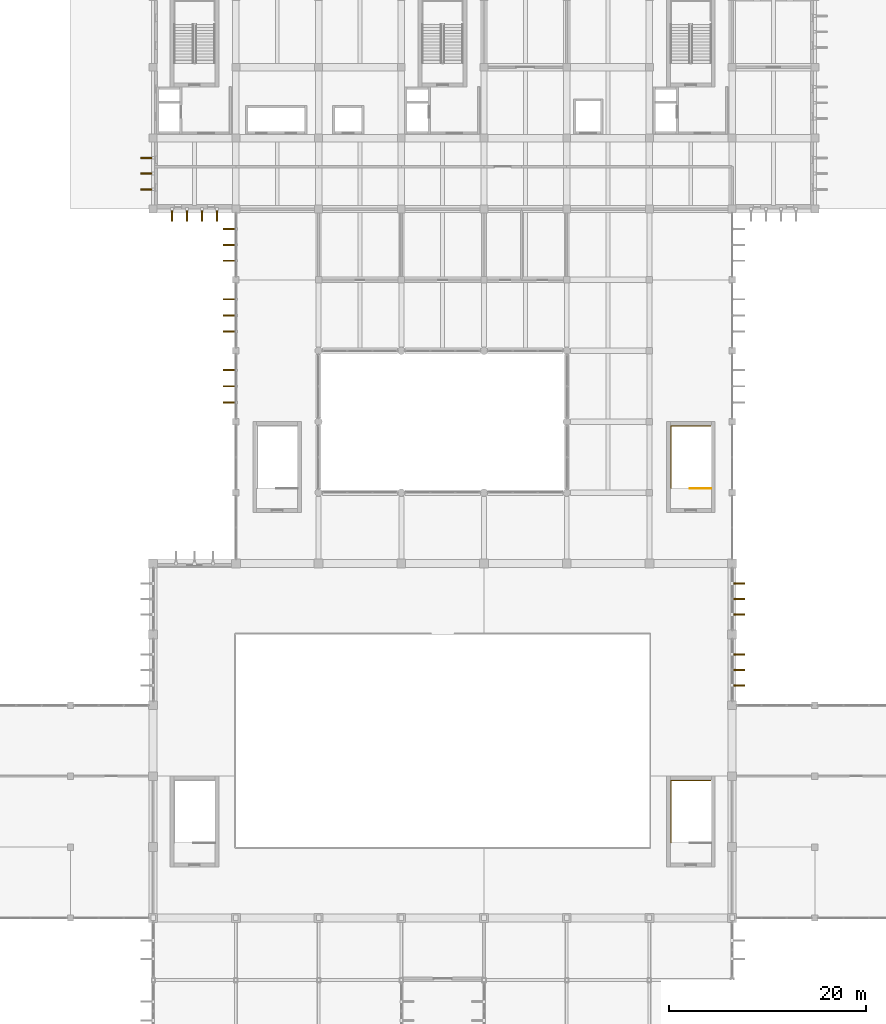
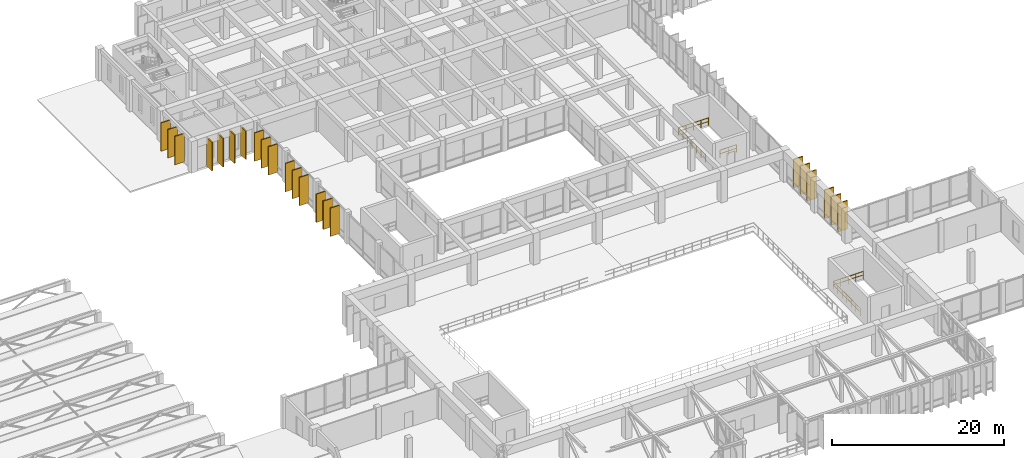
# One storey, part 36 of 40: 22 shading devices, 3 railings.
"""IFC4 building model written with IfcOpenShell, lengths in metres."""

from ifc_helpers import new_model, si_unit, direction, frame, origin, origin_2d, place, context, subcontext, project, spatial, rectangle, circle, extrude, material, type_object, element, save


model = new_model("IFC4")

# Units and contexts
model_context = context("Model", 3, precision=1e-05, world=origin(), true_north=direction((0.0, 1.0)))
body_context = subcontext(model_context, "Body", "Model", "MODEL_VIEW")
ifc_project = project(units=[si_unit("LENGTHUNIT", "METRE"), si_unit("AREAUNIT", "SQUARE_METRE"), si_unit("VOLUMEUNIT", "CUBIC_METRE"), si_unit("PLANEANGLEUNIT", "RADIAN"), si_unit("MASSUNIT", "GRAM", prefix="KILO")], contexts=[model_context])

# Site, building, storey
site_placement = place(None, origin())
site = spatial("IfcSite", under=ifc_project, at=site_placement, CompositionType="ELEMENT")
building_placement = place(site_placement, origin())
building = spatial("IfcBuilding", under=site, at=building_placement, Name="Kenerak Square Central Library", CompositionType="ELEMENT")
storey_placement = place(building_placement, frame((0.0, 0.0, 14.39990234375)))
storey = spatial("IfcBuildingStorey", under=building, at=storey_placement, Name="L03", CompositionType="ELEMENT", Elevation=14.39990234375)

# Shading devices
ifc_material_1 = material(Name="White precast concrete C40/50", Category="concrete")
shading_device_type = type_object("IfcShadingDeviceType", Name="Precast Vertical Solar Fin SF-1280 C40/50", PredefinedType="USERDEFINED", material=ifc_material_1)
for number, where, z_axis, x_axis, name in (
    (1, (66.179931640625, 69.16259765625, 0.10009765625), (0.0, 0.0, 1.0), (0.0, 1.0, 0.0), "Precast Solar Fin FIN-01 L03 0219"),
    (2, (66.179931640625, 70.800048828125, 0.10009765625), (0.0, 0.0, 1.0), (0.0, 1.0, 0.0), "Precast Solar Fin FIN-01 L03 0220"),
    (3, (66.179931640625, 72.4375, 0.10009765625), (0.0, 0.0, 1.0), (0.0, 1.0, 0.0), "Precast Solar Fin FIN-01 L03 0221"),
    (4, (66.179931640625, 76.362548828125, 0.10009765625), (0.0, 0.0, 1.0), (0.0, 1.0, 0.0), "Precast Solar Fin FIN-01 L03 0222"),
    (5, (66.179931640625, 78.0, 0.10009765625), (0.0, 0.0, 1.0), (0.0, 1.0, 0.0), "Precast Solar Fin FIN-01 L03 0223"),
    (6, (66.179931640625, 79.637451171875, 0.10009765625), (0.0, 0.0, 1.0), (0.0, 1.0, 0.0), "Precast Solar Fin FIN-01 L03 0224"),
    (7, (66.179931640625, 83.543701171875, 0.10009765625), (0.0, 0.0, 1.0), (0.0, 1.0, 0.0), "Precast Solar Fin FIN-01 L03 0225"),
    (8, (66.179931640625, 85.16259765625, 0.10009765625), (0.0, 0.0, 1.0), (0.0, 1.0, 0.0), "Precast Solar Fin FIN-01 L03 0226"),
    (9, (66.179931640625, 86.78125, 0.10009765625), (0.0, 0.0, 1.0), (0.0, 1.0, 0.0), "Precast Solar Fin FIN-01 L03 0227"),
    (10, (64.8798828125, 88.179931640625, 0.10009765625), (0.0, 0.0, 1.0), (-1.0, 0.0, 0.0), "Precast Solar Fin FIN-01 L03 0228"),
    (11, (63.360107421875, 88.179931640625, 0.10009765625), (0.0, 0.0, 1.0), (-1.0, 0.0, 0.0), "Precast Solar Fin FIN-01 L03 0229"),
    (12, (61.840087890625, 88.179931640625, 0.10009765625), (0.0, 0.0, 1.0), (-1.0, 0.0, 0.0), "Precast Solar Fin FIN-01 L03 0230"),
    (13, (60.320068359375, 88.179931640625, 0.10009765625), (0.0, 0.0, 1.0), (-1.0, 0.0, 0.0), "Precast Solar Fin FIN-01 L03 0231"),
    (14, (57.780029296875, 90.800048828125, 0.10009765625), (0.0, 0.0, 1.0), (0.0, 1.0, 0.0), "Precast Solar Fin FIN-01 L03 0232"),
    (15, (57.780029296875, 92.39990234375, 0.10009765625), (0.0, 0.0, 1.0), (0.0, 1.0, 0.0), "Precast Solar Fin FIN-01 L03 0233"),
    (16, (57.780029296875, 94.0, 0.10009765625), (0.0, 0.0, 1.0), (0.0, 1.0, 0.0), "Precast Solar Fin FIN-01 L03 0234"),
    (17, (117.820068359375, 50.77490234375, 0.10009765625), (0.0, 0.0, 1.0), (0.0, -1.0, 0.0), "Precast Solar Fin FIN-01 L03 0285"),
    (18, (117.820068359375, 49.199951171875, 0.10009765625), (0.0, 0.0, 1.0), (0.0, -1.0, 0.0), "Precast Solar Fin FIN-01 L03 0286"),
    (19, (117.820068359375, 47.625, 0.10009765625), (0.0, 0.0, 1.0), (0.0, -1.0, 0.0), "Precast Solar Fin FIN-01 L03 0287"),
    (20, (117.820068359375, 43.574951171875, 0.10009765625), (0.0, 0.0, 1.0), (0.0, -1.0, 0.0), "Precast Solar Fin FIN-01 L03 0288"),
    (21, (117.820068359375, 42.0, 0.10009765625), (0.0, 0.0, 1.0), (0.0, -1.0, 0.0), "Precast Solar Fin FIN-01 L03 0289"),
    (22, (117.820068359375, 40.425048828125, 0.10009765625), (0.0, 0.0, 1.0), (0.0, -1.0, 0.0), "Precast Solar Fin FIN-01 L03 0290"),
):
    element("IfcShadingDevice", number, at=place(storey_placement, frame(where, z_axis=z_axis, x_axis=x_axis)), inside=storey, type_object=shading_device_type, Name=name, ObjectType="FIN", PredefinedType="USERDEFINED", context=body_context, shape_type="SweptSolid", body=[
        extrude(rectangle(XDim=0.139892578125, YDim=1.280029296875, at=origin_2d()), origin(), (0.0, 0.0, 1.0), 4.030029296875),
    ])

# Railings
ifc_material_2 = material(Name="Steel S355", Category="steel")
railing_type = type_object("IfcRailingType", Name="Safety Guardrail GR-1100 S355", PredefinedType="GUARDRAIL", material=ifc_material_2)
railing_1_placement = place(storey_placement, frame((110.97998046875, 24.449951171875, 0.0)))
element("IfcRailing", 23, at=railing_1_placement, inside=storey, type_object=railing_type, Name="Stair Well Floor Guard ST-05 L03", PredefinedType="GUARDRAIL", context=body_context, shape_type="SweptSolid", body=[
    extrude(circle(Radius=0.02392578125, at=origin_2d()), frame((0.0, 0.0, 1.076171875), z_axis=(0.0, 1.0, 0.0), x_axis=(-1.0, 0.0, 0.0)), (0.0, 0.0, 1.0), 6.300048828125),
    extrude(circle(Radius=0.01806640625, at=origin_2d()), frame((0.0, 0.0, 0.572021484375), z_axis=(0.0, 1.0, 0.0), x_axis=(-1.0, 0.0, 0.0)), (0.0, 0.0, 1.0), 6.300048828125),
    extrude(circle(Radius=0.02392578125, at=origin_2d()), frame((0.0, 6.300048828125, 1.076171875), z_axis=(1.0, 0.0, 0.0), x_axis=(0.0, 1.0, 0.0)), (0.0, 0.0, 1.0), 4.0400390625),
    extrude(circle(Radius=0.01806640625, at=origin_2d()), frame((0.0, 6.300048828125, 0.572021484375), z_axis=(1.0, 0.0, 0.0), x_axis=(0.0, 1.0, 0.0)), (0.0, 0.0, 1.0), 4.0400390625),
    extrude(circle(Radius=0.02099609375, at=origin_2d()), origin(), (0.0, 0.0, 1.0), 1.052001953125),
    extrude(circle(Radius=0.02099609375, at=origin_2d()), frame((0.0, 1.050048828125, 0.0)), (0.0, 0.0, 1.0), 1.052001953125),
    extrude(circle(Radius=0.02099609375, at=origin_2d()), frame((0.0, 2.10009765625, 0.0)), (0.0, 0.0, 1.0), 1.052001953125),
    extrude(circle(Radius=0.02099609375, at=origin_2d()), frame((0.0, 3.14990234375, 0.0)), (0.0, 0.0, 1.0), 1.052001953125),
    extrude(circle(Radius=0.02099609375, at=origin_2d()), frame((0.0, 4.199951171875, 0.0)), (0.0, 0.0, 1.0), 1.052001953125),
    extrude(circle(Radius=0.02099609375, at=origin_2d()), frame((0.0, 5.25, 0.0)), (0.0, 0.0, 1.0), 1.052001953125),
    extrude(circle(Radius=0.02099609375, at=origin_2d()), frame((0.0, 6.300048828125, 0.0)), (0.0, 0.0, 1.0), 1.052001953125),
    extrude(circle(Radius=0.02099609375, at=origin_2d()), frame((1.010009765625, 6.300048828125, 0.0)), (0.0, 0.0, 1.0), 1.052001953125),
    extrude(circle(Radius=0.02099609375, at=origin_2d()), frame((2.02001953125, 6.300048828125, 0.0)), (0.0, 0.0, 1.0), 1.052001953125),
    extrude(circle(Radius=0.02099609375, at=origin_2d()), frame((3.030029296875, 6.300048828125, 0.0)), (0.0, 0.0, 1.0), 1.052001953125),
    extrude(circle(Radius=0.02099609375, at=origin_2d()), frame((4.0400390625, 6.300048828125, 0.0)), (0.0, 0.0, 1.0), 1.052001953125),
])
railing_2_placement = place(storey_placement, frame((115.080078125, 60.39990234375, 0.0)))
element("IfcRailing", 24, at=railing_2_placement, inside=storey, type_object=railing_type, Name="L03 ST-09 top well guard 1", PredefinedType="GUARDRAIL", context=body_context, shape_type="SweptSolid", body=[
    extrude(circle(Radius=0.02392578125, at=origin_2d()), frame((0.0, 0.0, 1.076171875), z_axis=(-1.0, 0.0, 0.0), x_axis=(0.0, -1.0, 0.0)), (0.0, 0.0, 1.0), 2.18017578125),
    extrude(circle(Radius=0.01806640625, at=origin_2d()), frame((0.0, 0.0, 0.572021484375), z_axis=(-1.0, 0.0, 0.0), x_axis=(0.0, -1.0, 0.0)), (0.0, 0.0, 1.0), 2.18017578125),
    extrude(circle(Radius=0.02099609375, at=origin_2d()), origin(), (0.0, 0.0, 1.0), 1.052001953125),
    extrude(circle(Radius=0.02099609375, at=origin_2d()), frame((-1.090087890625, 0.0, 0.0)), (0.0, 0.0, 1.0), 1.052001953125),
    extrude(circle(Radius=0.02099609375, at=origin_2d()), frame((-2.18017578125, 0.0, 0.0)), (0.0, 0.0, 1.0), 1.052001953125),
])
railing_3_placement = place(storey_placement, frame((110.97998046875, 60.449951171875, 0.0)))
element("IfcRailing", 25, at=railing_3_placement, inside=storey, type_object=railing_type, Name="Stair Well Floor Guard ST-09 L03", PredefinedType="GUARDRAIL", context=body_context, shape_type="SweptSolid", body=[
    extrude(circle(Radius=0.02392578125, at=origin_2d()), frame((0.0, 0.0, 1.076171875), z_axis=(0.0, 1.0, 0.0), x_axis=(-1.0, 0.0, 0.0)), (0.0, 0.0, 1.0), 6.300048828125),
    extrude(circle(Radius=0.01806640625, at=origin_2d()), frame((0.0, 0.0, 0.572021484375), z_axis=(0.0, 1.0, 0.0), x_axis=(-1.0, 0.0, 0.0)), (0.0, 0.0, 1.0), 6.300048828125),
    extrude(circle(Radius=0.02392578125, at=origin_2d()), frame((0.0, 6.300048828125, 1.076171875), z_axis=(1.0, 0.0, 0.0), x_axis=(0.0, 1.0, 0.0)), (0.0, 0.0, 1.0), 4.0400390625),
    extrude(circle(Radius=0.01806640625, at=origin_2d()), frame((0.0, 6.300048828125, 0.572021484375), z_axis=(1.0, 0.0, 0.0), x_axis=(0.0, 1.0, 0.0)), (0.0, 0.0, 1.0), 4.0400390625),
    extrude(circle(Radius=0.02099609375, at=origin_2d()), origin(), (0.0, 0.0, 1.0), 1.052001953125),
    extrude(circle(Radius=0.02099609375, at=origin_2d()), frame((0.0, 1.050048828125, 0.0)), (0.0, 0.0, 1.0), 1.052001953125),
    extrude(circle(Radius=0.02099609375, at=origin_2d()), frame((0.0, 2.10009765625, 0.0)), (0.0, 0.0, 1.0), 1.052001953125),
    extrude(circle(Radius=0.02099609375, at=origin_2d()), frame((0.0, 3.14990234375, 0.0)), (0.0, 0.0, 1.0), 1.052001953125),
    extrude(circle(Radius=0.02099609375, at=origin_2d()), frame((0.0, 4.199951171875, 0.0)), (0.0, 0.0, 1.0), 1.052001953125),
    extrude(circle(Radius=0.02099609375, at=origin_2d()), frame((0.0, 5.25, 0.0)), (0.0, 0.0, 1.0), 1.052001953125),
    extrude(circle(Radius=0.02099609375, at=origin_2d()), frame((0.0, 6.300048828125, 0.0)), (0.0, 0.0, 1.0), 1.052001953125),
    extrude(circle(Radius=0.02099609375, at=origin_2d()), frame((1.010009765625, 6.300048828125, 0.0)), (0.0, 0.0, 1.0), 1.052001953125),
    extrude(circle(Radius=0.02099609375, at=origin_2d()), frame((2.02001953125, 6.300048828125, 0.0)), (0.0, 0.0, 1.0), 1.052001953125),
    extrude(circle(Radius=0.02099609375, at=origin_2d()), frame((3.030029296875, 6.300048828125, 0.0)), (0.0, 0.0, 1.0), 1.052001953125),
    extrude(circle(Radius=0.02099609375, at=origin_2d()), frame((4.0400390625, 6.300048828125, 0.0)), (0.0, 0.0, 1.0), 1.052001953125),
])

save(model, "model.ifc")
